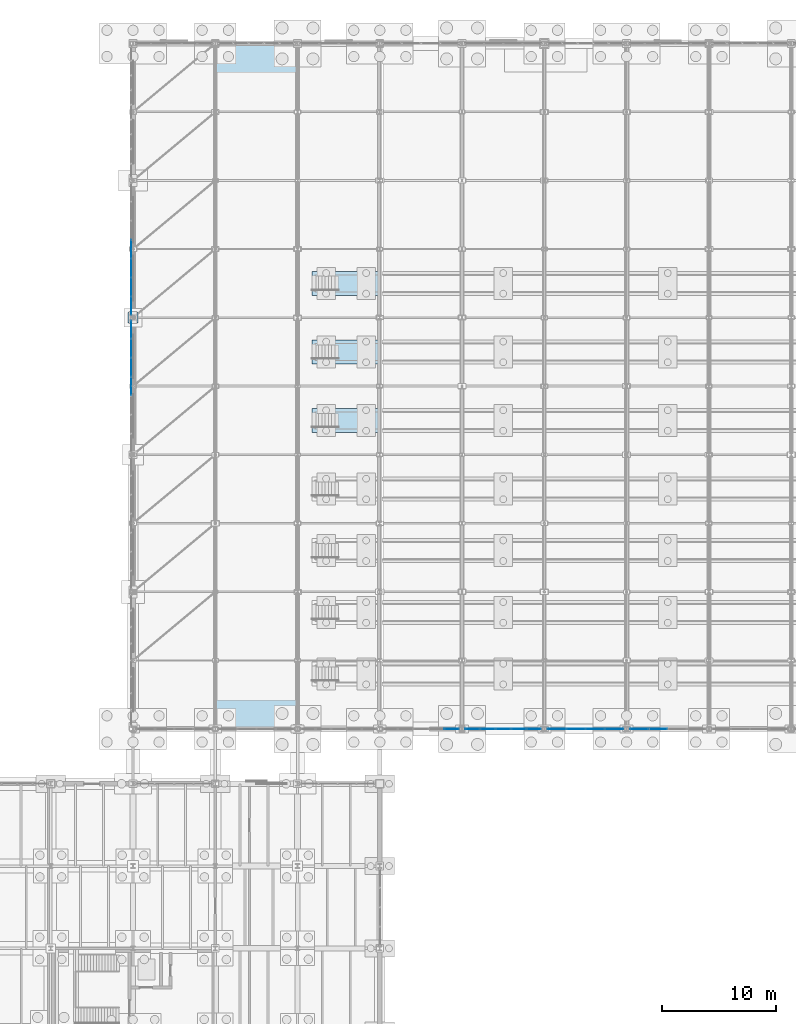
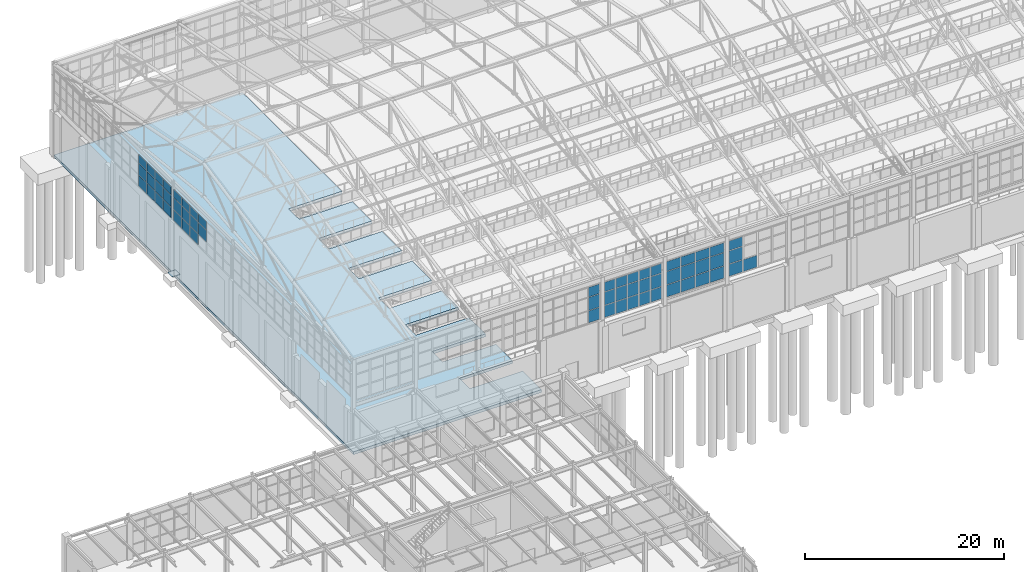
# One storey, part 240 of 293: 58 plates, 4 slabs, 6 elements without a shape of their own.
"""IFC4 building model written with IfcOpenShell, lengths in metres."""

from ifc_helpers import new_model, si_unit, direction, frame, origin, origin_2d, place, context, subcontext, project, spatial, polyline, rectangle, outline, extrude, material, layer, layer_set, type_object, element, aggregate, save


model = new_model("IFC4")

# Units and contexts
model_context = context("Model", 3, precision=1e-05, world=origin(), true_north=direction((0.0, 1.0)))
body_context = subcontext(model_context, "Body", "Model", "MODEL_VIEW")
ifc_project = project(units=[si_unit("LENGTHUNIT", "METRE"), si_unit("AREAUNIT", "SQUARE_METRE"), si_unit("VOLUMEUNIT", "CUBIC_METRE"), si_unit("PLANEANGLEUNIT", "RADIAN"), si_unit("MASSUNIT", "GRAM", prefix="KILO")], contexts=[model_context])

# Site, building, storey
site_placement = place(None, origin())
site = spatial("IfcSite", under=ifc_project, at=site_placement, CompositionType="ELEMENT")
building_placement = place(site_placement, origin())
building = spatial("IfcBuilding", under=site, at=building_placement, Name="Kemerveld Promenade Tramway Depot", CompositionType="ELEMENT")
storey_placement = place(building_placement, origin())
storey = spatial("IfcBuildingStorey", under=building, at=storey_placement, Name="L00", CompositionType="ELEMENT", Elevation=0.0)

# Curtain wall, plates
ifc_material_1 = material(Name="Bronze anodised aluminium and solar glass", Category="aluminium")
ifc_layer_1 = layer(ifc_material_1, 0.159912109375)
ifc_layer_set_1 = layer_set([ifc_layer_1], Name="CW-SYS-09")
curtain_wall_type_1 = type_object("IfcCurtainWallType", Name="CW-SYS-09", PredefinedType="USERDEFINED", material=ifc_layer_set_1)
curtain_wall_1_placement = place(storey_placement, origin())
curtain_wall_1 = element("IfcCurtainWall", 1, at=curtain_wall_1_placement, inside=storey, type_object=curtain_wall_type_1, Name="CW-V1-S-06", ObjectType="GLAZED_CURTAIN_WALL", PredefinedType="USERDEFINED")
ifc_material_2 = material(Name="Solar-control laminated double glazing", Category="glass")
ifc_layer_2 = layer(ifc_material_2, 0.028076171875)
ifc_layer_set_2 = layer_set([ifc_layer_2], Name="CW-PNL-01")
plate_type_1 = type_object("IfcPlateType", Name="CW-PNL-01", PredefinedType="CURTAIN_PANEL", material=ifc_layer_set_2)
plate_1_placement = place(storey_placement, frame((78.116455078125, 84.0, 6.259765625), z_axis=(0.0, 0.0, 1.0), x_axis=(-1.0, 0.0, 0.0)))
plate_1 = element("IfcPlate", 2, at=plate_1_placement, type_object=plate_type_1, Name="CW09 panel 1.1", PredefinedType="CURTAIN_PANEL", context=body_context, shape_type="SweptSolid", body=[
    extrude(rectangle(XDim=1.5908203125, YDim=0.028076171875, at=origin_2d()), origin(), (0.0, 0.0, 1.0), 1.468017578125),
])
plate_2_placement = place(storey_placement, frame((78.116455078125, 84.0, 7.7880859375), z_axis=(0.0, 0.0, 1.0), x_axis=(-1.0, 0.0, 0.0)))
plate_2 = element("IfcPlate", 3, at=plate_2_placement, type_object=plate_type_1, Name="CW09 panel 1.2", PredefinedType="CURTAIN_PANEL", context=body_context, shape_type="SweptSolid", body=[
    extrude(rectangle(XDim=1.5908203125, YDim=0.028076171875, at=origin_2d()), origin(), (0.0, 0.0, 1.0), 1.5859375),
])
plate_3_placement = place(storey_placement, frame((78.116455078125, 84.0, 9.43408203125), z_axis=(0.0, 0.0, 1.0), x_axis=(-1.0, 0.0, 0.0)))
plate_3 = element("IfcPlate", 4, at=plate_3_placement, type_object=plate_type_1, Name="CW09 panel 1.3", PredefinedType="CURTAIN_PANEL", context=body_context, shape_type="SweptSolid", body=[
    extrude(rectangle(XDim=1.5908203125, YDim=0.028076171875, at=origin_2d()), origin(), (0.0, 0.0, 1.0), 1.156005859375),
])
plate_4_placement = place(storey_placement, frame((76.444091796875, 84.0, 6.259765625), z_axis=(0.0, 0.0, 1.0), x_axis=(-1.0, 0.0, 0.0)))
plate_4 = element("IfcPlate", 5, at=plate_4_placement, type_object=plate_type_1, Name="CW09 panel 2.1", PredefinedType="CURTAIN_PANEL", context=body_context, shape_type="SweptSolid", body=[
    extrude(rectangle(XDim=1.623291015625, YDim=0.028076171875, at=origin_2d()), origin(), (0.0, 0.0, 1.0), 1.468017578125),
])
plate_5_placement = place(storey_placement, frame((76.444091796875, 84.0, 7.7880859375), z_axis=(0.0, 0.0, 1.0), x_axis=(-1.0, 0.0, 0.0)))
plate_5 = element("IfcPlate", 6, at=plate_5_placement, type_object=plate_type_1, Name="CW09 panel 2.2", PredefinedType="CURTAIN_PANEL", context=body_context, shape_type="SweptSolid", body=[
    extrude(rectangle(XDim=1.623291015625, YDim=0.028076171875, at=origin_2d()), origin(), (0.0, 0.0, 1.0), 1.5859375),
])
plate_6_placement = place(storey_placement, frame((76.444091796875, 84.0, 9.43408203125), z_axis=(0.0, 0.0, 1.0), x_axis=(-1.0, 0.0, 0.0)))
plate_6 = element("IfcPlate", 7, at=plate_6_placement, type_object=plate_type_1, Name="CW09 panel 2.3", PredefinedType="CURTAIN_PANEL", context=body_context, shape_type="SweptSolid", body=[
    extrude(rectangle(XDim=1.623291015625, YDim=0.028076171875, at=origin_2d()), origin(), (0.0, 0.0, 1.0), 1.156005859375),
])
plate_7_placement = place(storey_placement, frame((74.755859375, 84.0, 6.259765625), z_axis=(0.0, 0.0, 1.0), x_axis=(-1.0, 0.0, 0.0)))
plate_7 = element("IfcPlate", 8, at=plate_7_placement, type_object=plate_type_1, Name="CW09 panel 3.1", PredefinedType="CURTAIN_PANEL", context=body_context, shape_type="SweptSolid", body=[
    extrude(rectangle(XDim=1.623291015625, YDim=0.028076171875, at=origin_2d()), origin(), (0.0, 0.0, 1.0), 1.468017578125),
])
plate_8_placement = place(storey_placement, frame((74.755859375, 84.0, 7.7880859375), z_axis=(0.0, 0.0, 1.0), x_axis=(-1.0, 0.0, 0.0)))
plate_8 = element("IfcPlate", 9, at=plate_8_placement, type_object=plate_type_1, Name="CW09 panel 3.2", PredefinedType="CURTAIN_PANEL", context=body_context, shape_type="SweptSolid", body=[
    extrude(rectangle(XDim=1.623291015625, YDim=0.028076171875, at=origin_2d()), origin(), (0.0, 0.0, 1.0), 1.5859375),
])
plate_9_placement = place(storey_placement, frame((74.755859375, 84.0, 9.43408203125), z_axis=(0.0, 0.0, 1.0), x_axis=(-1.0, 0.0, 0.0)))
plate_9 = element("IfcPlate", 10, at=plate_9_placement, type_object=plate_type_1, Name="CW09 panel 3.3", PredefinedType="CURTAIN_PANEL", context=body_context, shape_type="SweptSolid", body=[
    extrude(rectangle(XDim=1.623291015625, YDim=0.028076171875, at=origin_2d()), origin(), (0.0, 0.0, 1.0), 1.156005859375),
])
plate_10_placement = place(storey_placement, frame((73.083740234375, 84.0, 6.259765625), z_axis=(0.0, 0.0, 1.0), x_axis=(-1.0, 0.0, 0.0)))
plate_10 = element("IfcPlate", 11, at=plate_10_placement, type_object=plate_type_1, Name="CW09 panel 4.1", PredefinedType="CURTAIN_PANEL", context=body_context, shape_type="SweptSolid", body=[
    extrude(rectangle(XDim=1.5908203125, YDim=0.028076171875, at=origin_2d()), origin(), (0.0, 0.0, 1.0), 1.468017578125),
])
plate_11_placement = place(storey_placement, frame((73.083740234375, 84.0, 7.7880859375), z_axis=(0.0, 0.0, 1.0), x_axis=(-1.0, 0.0, 0.0)))
plate_11 = element("IfcPlate", 12, at=plate_11_placement, type_object=plate_type_1, Name="CW09 panel 4.2", PredefinedType="CURTAIN_PANEL", context=body_context, shape_type="SweptSolid", body=[
    extrude(rectangle(XDim=1.5908203125, YDim=0.028076171875, at=origin_2d()), origin(), (0.0, 0.0, 1.0), 1.5859375),
])
plate_12_placement = place(storey_placement, frame((73.083740234375, 84.0, 9.43408203125), z_axis=(0.0, 0.0, 1.0), x_axis=(-1.0, 0.0, 0.0)))
plate_12 = element("IfcPlate", 13, at=plate_12_placement, type_object=plate_type_1, Name="CW09 panel 4.3", PredefinedType="CURTAIN_PANEL", context=body_context, shape_type="SweptSolid", body=[
    extrude(rectangle(XDim=1.5908203125, YDim=0.028076171875, at=origin_2d()), origin(), (0.0, 0.0, 1.0), 1.156005859375),
])
aggregate(curtain_wall_1, [plate_1, plate_2, plate_3, plate_4, plate_5, plate_6, plate_7, plate_8, plate_9, plate_10, plate_11, plate_12])

ifc_layer_3 = layer(ifc_material_1, 0.199951171875)
ifc_layer_set_3 = layer_set([ifc_layer_3], Name="CW-SYS-10")
curtain_wall_type_2 = type_object("IfcCurtainWallType", Name="CW-SYS-10", PredefinedType="USERDEFINED", material=ifc_layer_set_3)
curtain_wall_2_placement = place(storey_placement, origin())
curtain_wall_2 = element("IfcCurtainWall", 14, at=curtain_wall_2_placement, inside=storey, type_object=curtain_wall_type_2, Name="CW-V1-S-07", ObjectType="GLAZED_CURTAIN_WALL", PredefinedType="USERDEFINED")
ifc_layer_4 = layer(ifc_material_2, 0.028076171875)
ifc_layer_set_4 = layer_set([ifc_layer_4], Name="CW-PNL-02")
plate_type_2 = type_object("IfcPlateType", Name="CW-PNL-02", PredefinedType="CURTAIN_PANEL", material=ifc_layer_set_4)
plate_13_placement = place(storey_placement, frame((81.955810546875, 84.0, 6.26513671875), z_axis=(0.0, 0.0, 1.0), x_axis=(-1.0, 0.0, 0.0)))
plate_13 = element("IfcPlate", 15, at=plate_13_placement, type_object=plate_type_2, Name="CW10 panel 3.1", PredefinedType="CURTAIN_PANEL", context=body_context, shape_type="SweptSolid", body=[
    extrude(rectangle(XDim=1.61328125, YDim=0.028076171875, at=origin_2d()), origin(), (0.0, 0.0, 1.0), 1.46044921875),
])
plate_14_placement = place(storey_placement, frame((80.2861328125, 84.0, 6.26513671875), z_axis=(0.0, 0.0, 1.0), x_axis=(-1.0, 0.0, 0.0)))
plate_14 = element("IfcPlate", 16, at=plate_14_placement, type_object=plate_type_2, Name="CW10 panel 4.1", PredefinedType="CURTAIN_PANEL", context=body_context, shape_type="SweptSolid", body=[
    extrude(rectangle(XDim=1.575927734375, YDim=0.028076171875, at=origin_2d()), origin(), (0.0, 0.0, 1.0), 1.46044921875),
])
plate_15_placement = place(storey_placement, frame((80.2861328125, 84.0, 7.79052734375), z_axis=(0.0, 0.0, 1.0), x_axis=(-1.0, 0.0, 0.0)))
plate_15 = element("IfcPlate", 17, at=plate_15_placement, type_object=plate_type_2, Name="CW10 panel 4.2", PredefinedType="CURTAIN_PANEL", context=body_context, shape_type="SweptSolid", body=[
    extrude(rectangle(XDim=1.575927734375, YDim=0.028076171875, at=origin_2d()), origin(), (0.0, 0.0, 1.0), 1.5810546875),
])
plate_16_placement = place(storey_placement, frame((80.2861328125, 84.0, 9.4365234375), z_axis=(0.0, 0.0, 1.0), x_axis=(-1.0, 0.0, 0.0)))
plate_16 = element("IfcPlate", 18, at=plate_16_placement, type_object=plate_type_2, Name="CW10 panel 4.3", PredefinedType="CURTAIN_PANEL", context=body_context, shape_type="SweptSolid", body=[
    extrude(rectangle(XDim=1.575927734375, YDim=0.028076171875, at=origin_2d()), origin(), (0.0, 0.0, 1.0), 1.1484375),
])
aggregate(curtain_wall_2, [plate_13, plate_14, plate_15, plate_16])

curtain_wall_3_placement = place(storey_placement, origin())
curtain_wall_3 = element("IfcCurtainWall", 19, at=curtain_wall_3_placement, inside=storey, type_object=curtain_wall_type_2, Name="CW-V1-W-03", ObjectType="GLAZED_CURTAIN_WALL", PredefinedType="USERDEFINED")
plate_17_placement = place(storey_placement, frame((35.85009765625, 114.0, 8.0654296875), z_axis=(0.0, 0.0, 1.0), x_axis=(0.0, 1.0, 0.0)))
plate_17 = element("IfcPlate", 20, at=plate_17_placement, type_object=plate_type_2, Name="CW10 panel 4.2", PredefinedType="CURTAIN_PANEL", context=body_context, shape_type="SweptSolid", body=[
    extrude(rectangle(XDim=1.5869140625, YDim=0.028076171875, at=origin_2d()), origin(), (0.0, 0.0, 1.0), 1.39599609375),
])
plate_18_placement = place(storey_placement, frame((35.85009765625, 114.0, 9.5263671875), z_axis=(0.0, 0.0, 1.0), x_axis=(0.0, 1.0, 0.0)))
plate_18 = element("IfcPlate", 21, at=plate_18_placement, type_object=plate_type_2, Name="CW10 panel 4.3", PredefinedType="CURTAIN_PANEL", context=body_context, shape_type="SweptSolid", body=[
    extrude(rectangle(XDim=1.5869140625, YDim=0.028076171875, at=origin_2d()), origin(), (0.0, 0.0, 1.0), 1.008544921875),
])
plate_19_placement = place(storey_placement, frame((35.85009765625, 115.661865234375, 6.71484375), z_axis=(0.0, 0.0, 1.0), x_axis=(0.0, 1.0, 0.0)))
plate_19 = element("IfcPlate", 22, at=plate_19_placement, type_object=plate_type_2, Name="CW10 panel 5.1", PredefinedType="CURTAIN_PANEL", context=body_context, shape_type="SweptSolid", body=[
    extrude(rectangle(XDim=1.5869140625, YDim=0.028076171875, at=origin_2d()), origin(), (0.0, 0.0, 1.0), 1.285400390625),
])
plate_20_placement = place(storey_placement, frame((35.85009765625, 115.661865234375, 8.0654296875), z_axis=(0.0, 0.0, 1.0), x_axis=(0.0, 1.0, 0.0)))
plate_20 = element("IfcPlate", 23, at=plate_20_placement, type_object=plate_type_2, Name="CW10 panel 5.2", PredefinedType="CURTAIN_PANEL", context=body_context, shape_type="SweptSolid", body=[
    extrude(rectangle(XDim=1.5869140625, YDim=0.028076171875, at=origin_2d()), origin(), (0.0, 0.0, 1.0), 1.39599609375),
])
plate_21_placement = place(storey_placement, frame((35.85009765625, 115.661865234375, 9.5263671875), z_axis=(0.0, 0.0, 1.0), x_axis=(0.0, 1.0, 0.0)))
plate_21 = element("IfcPlate", 24, at=plate_21_placement, type_object=plate_type_2, Name="CW10 panel 5.3", PredefinedType="CURTAIN_PANEL", context=body_context, shape_type="SweptSolid", body=[
    extrude(rectangle(XDim=1.5869140625, YDim=0.028076171875, at=origin_2d()), origin(), (0.0, 0.0, 1.0), 1.008544921875),
])
plate_22_placement = place(storey_placement, frame((35.85009765625, 117.32373046875, 6.71484375), z_axis=(0.0, 0.0, 1.0), x_axis=(0.0, 1.0, 0.0)))
plate_22 = element("IfcPlate", 25, at=plate_22_placement, type_object=plate_type_2, Name="CW10 panel 6.1", PredefinedType="CURTAIN_PANEL", context=body_context, shape_type="SweptSolid", body=[
    extrude(rectangle(XDim=1.5869140625, YDim=0.028076171875, at=origin_2d()), origin(), (0.0, 0.0, 1.0), 1.285400390625),
])
plate_23_placement = place(storey_placement, frame((35.85009765625, 117.32373046875, 8.0654296875), z_axis=(0.0, 0.0, 1.0), x_axis=(0.0, 1.0, 0.0)))
plate_23 = element("IfcPlate", 26, at=plate_23_placement, type_object=plate_type_2, Name="CW10 panel 6.2", PredefinedType="CURTAIN_PANEL", context=body_context, shape_type="SweptSolid", body=[
    extrude(rectangle(XDim=1.5869140625, YDim=0.028076171875, at=origin_2d()), origin(), (0.0, 0.0, 1.0), 1.39599609375),
])
plate_24_placement = place(storey_placement, frame((35.85009765625, 117.32373046875, 9.5263671875), z_axis=(0.0, 0.0, 1.0), x_axis=(0.0, 1.0, 0.0)))
plate_24 = element("IfcPlate", 27, at=plate_24_placement, type_object=plate_type_2, Name="CW10 panel 6.3", PredefinedType="CURTAIN_PANEL", context=body_context, shape_type="SweptSolid", body=[
    extrude(rectangle(XDim=1.5869140625, YDim=0.028076171875, at=origin_2d()), origin(), (0.0, 0.0, 1.0), 1.008544921875),
])
plate_25_placement = place(storey_placement, frame((35.85009765625, 118.966796875, 6.71484375), z_axis=(0.0, 0.0, 1.0), x_axis=(0.0, 1.0, 0.0)))
plate_25 = element("IfcPlate", 28, at=plate_25_placement, type_object=plate_type_2, Name="CW10 panel 7.1", PredefinedType="CURTAIN_PANEL", context=body_context, shape_type="SweptSolid", body=[
    extrude(rectangle(XDim=1.54931640625, YDim=0.028076171875, at=origin_2d()), origin(), (0.0, 0.0, 1.0), 1.285400390625),
])
plate_26_placement = place(storey_placement, frame((35.85009765625, 118.966796875, 8.0654296875), z_axis=(0.0, 0.0, 1.0), x_axis=(0.0, 1.0, 0.0)))
plate_26 = element("IfcPlate", 29, at=plate_26_placement, type_object=plate_type_2, Name="CW10 panel 7.2", PredefinedType="CURTAIN_PANEL", context=body_context, shape_type="SweptSolid", body=[
    extrude(rectangle(XDim=1.54931640625, YDim=0.028076171875, at=origin_2d()), origin(), (0.0, 0.0, 1.0), 1.39599609375),
])
plate_27_placement = place(storey_placement, frame((35.85009765625, 118.966796875, 9.5263671875), z_axis=(0.0, 0.0, 1.0), x_axis=(0.0, 1.0, 0.0)))
plate_27 = element("IfcPlate", 30, at=plate_27_placement, type_object=plate_type_2, Name="CW10 panel 7.3", PredefinedType="CURTAIN_PANEL", context=body_context, shape_type="SweptSolid", body=[
    extrude(rectangle(XDim=1.54931640625, YDim=0.028076171875, at=origin_2d()), origin(), (0.0, 0.0, 1.0), 1.008544921875),
])
aggregate(curtain_wall_3, [plate_17, plate_18, plate_19, plate_20, plate_21, plate_22, plate_23, plate_24, plate_25, plate_26, plate_27])

ifc_layer_5 = layer(ifc_material_1, 0.159912109375)
ifc_layer_set_5 = layer_set([ifc_layer_5], Name="CW-SYS-11")
curtain_wall_type_3 = type_object("IfcCurtainWallType", Name="CW-SYS-11", PredefinedType="USERDEFINED", material=ifc_layer_set_5)
curtain_wall_4_placement = place(storey_placement, origin())
curtain_wall_4 = element("IfcCurtainWall", 31, at=curtain_wall_4_placement, inside=storey, type_object=curtain_wall_type_3, Name="CW-V1-W-04", ObjectType="GLAZED_CURTAIN_WALL", PredefinedType="USERDEFINED")
ifc_layer_6 = layer(ifc_material_2, 0.028076171875)
ifc_layer_set_6 = layer_set([ifc_layer_6], Name="CW-PNL-03")
plate_type_3 = type_object("IfcPlateType", Name="CW-PNL-03", PredefinedType="CURTAIN_PANEL", material=ifc_layer_set_6)
plate_28_placement = place(storey_placement, frame((35.85009765625, 121.03076171875, 6.7099609375), z_axis=(0.0, 0.0, 1.0), x_axis=(0.0, 1.0, 0.0)))
plate_28 = element("IfcPlate", 32, at=plate_28_placement, type_object=plate_type_3, Name="CW11 panel 1.1", PredefinedType="CURTAIN_PANEL", context=body_context, shape_type="SweptSolid", body=[
    extrude(rectangle(XDim=1.564453125, YDim=0.028076171875, at=origin_2d()), origin(), (0.0, 0.0, 1.0), 1.29296875),
])
plate_29_placement = place(storey_placement, frame((35.85009765625, 121.03076171875, 8.06298828125), z_axis=(0.0, 0.0, 1.0), x_axis=(0.0, 1.0, 0.0)))
plate_29 = element("IfcPlate", 33, at=plate_29_placement, type_object=plate_type_3, Name="CW11 panel 1.2", PredefinedType="CURTAIN_PANEL", context=body_context, shape_type="SweptSolid", body=[
    extrude(rectangle(XDim=1.564453125, YDim=0.028076171875, at=origin_2d()), origin(), (0.0, 0.0, 1.0), 1.40087890625),
])
plate_30_placement = place(storey_placement, frame((35.85009765625, 121.03076171875, 9.52392578125), z_axis=(0.0, 0.0, 1.0), x_axis=(0.0, 1.0, 0.0)))
plate_30 = element("IfcPlate", 34, at=plate_30_placement, type_object=plate_type_3, Name="CW11 panel 1.3", PredefinedType="CURTAIN_PANEL", context=body_context, shape_type="SweptSolid", body=[
    extrude(rectangle(XDim=1.564453125, YDim=0.028076171875, at=origin_2d()), origin(), (0.0, 0.0, 1.0), 1.01611328125),
])
plate_31_placement = place(storey_placement, frame((35.85009765625, 122.67626953125, 6.7099609375), z_axis=(0.0, 0.0, 1.0), x_axis=(0.0, 1.0, 0.0)))
plate_31 = element("IfcPlate", 35, at=plate_31_placement, type_object=plate_type_3, Name="CW11 panel 2.1", PredefinedType="CURTAIN_PANEL", context=body_context, shape_type="SweptSolid", body=[
    extrude(rectangle(XDim=1.596923828125, YDim=0.028076171875, at=origin_2d()), origin(), (0.0, 0.0, 1.0), 1.29296875),
])
plate_32_placement = place(storey_placement, frame((35.85009765625, 122.67626953125, 8.06298828125), z_axis=(0.0, 0.0, 1.0), x_axis=(0.0, 1.0, 0.0)))
plate_32 = element("IfcPlate", 36, at=plate_32_placement, type_object=plate_type_3, Name="CW11 panel 2.2", PredefinedType="CURTAIN_PANEL", context=body_context, shape_type="SweptSolid", body=[
    extrude(rectangle(XDim=1.596923828125, YDim=0.028076171875, at=origin_2d()), origin(), (0.0, 0.0, 1.0), 1.40087890625),
])
plate_33_placement = place(storey_placement, frame((35.85009765625, 122.67626953125, 9.52392578125), z_axis=(0.0, 0.0, 1.0), x_axis=(0.0, 1.0, 0.0)))
plate_33 = element("IfcPlate", 37, at=plate_33_placement, type_object=plate_type_3, Name="CW11 panel 2.3", PredefinedType="CURTAIN_PANEL", context=body_context, shape_type="SweptSolid", body=[
    extrude(rectangle(XDim=1.596923828125, YDim=0.028076171875, at=origin_2d()), origin(), (0.0, 0.0, 1.0), 1.01611328125),
])
plate_34_placement = place(storey_placement, frame((35.85009765625, 124.338134765625, 6.7099609375), z_axis=(0.0, 0.0, 1.0), x_axis=(0.0, 1.0, 0.0)))
plate_34 = element("IfcPlate", 38, at=plate_34_placement, type_object=plate_type_3, Name="CW11 panel 3.1", PredefinedType="CURTAIN_PANEL", context=body_context, shape_type="SweptSolid", body=[
    extrude(rectangle(XDim=1.596923828125, YDim=0.028076171875, at=origin_2d()), origin(), (0.0, 0.0, 1.0), 1.29296875),
])
plate_35_placement = place(storey_placement, frame((35.85009765625, 124.338134765625, 8.06298828125), z_axis=(0.0, 0.0, 1.0), x_axis=(0.0, 1.0, 0.0)))
plate_35 = element("IfcPlate", 39, at=plate_35_placement, type_object=plate_type_3, Name="CW11 panel 3.2", PredefinedType="CURTAIN_PANEL", context=body_context, shape_type="SweptSolid", body=[
    extrude(rectangle(XDim=1.596923828125, YDim=0.028076171875, at=origin_2d()), origin(), (0.0, 0.0, 1.0), 1.40087890625),
])
plate_36_placement = place(storey_placement, frame((35.85009765625, 124.338134765625, 9.52392578125), z_axis=(0.0, 0.0, 1.0), x_axis=(0.0, 1.0, 0.0)))
plate_36 = element("IfcPlate", 40, at=plate_36_placement, type_object=plate_type_3, Name="CW11 panel 3.3", PredefinedType="CURTAIN_PANEL", context=body_context, shape_type="SweptSolid", body=[
    extrude(rectangle(XDim=1.596923828125, YDim=0.028076171875, at=origin_2d()), origin(), (0.0, 0.0, 1.0), 1.01611328125),
])
plate_37_placement = place(storey_placement, frame((35.85009765625, 126.0, 6.7099609375), z_axis=(0.0, 0.0, 1.0), x_axis=(0.0, 1.0, 0.0)))
plate_37 = element("IfcPlate", 41, at=plate_37_placement, type_object=plate_type_3, Name="CW11 panel 4.1", PredefinedType="CURTAIN_PANEL", context=body_context, shape_type="SweptSolid", body=[
    extrude(rectangle(XDim=1.596923828125, YDim=0.028076171875, at=origin_2d()), origin(), (0.0, 0.0, 1.0), 1.29296875),
])
plate_38_placement = place(storey_placement, frame((35.85009765625, 126.0, 8.06298828125), z_axis=(0.0, 0.0, 1.0), x_axis=(0.0, 1.0, 0.0)))
plate_38 = element("IfcPlate", 42, at=plate_38_placement, type_object=plate_type_3, Name="CW11 panel 4.2", PredefinedType="CURTAIN_PANEL", context=body_context, shape_type="SweptSolid", body=[
    extrude(rectangle(XDim=1.596923828125, YDim=0.028076171875, at=origin_2d()), origin(), (0.0, 0.0, 1.0), 1.40087890625),
])
plate_39_placement = place(storey_placement, frame((35.85009765625, 126.0, 9.52392578125), z_axis=(0.0, 0.0, 1.0), x_axis=(0.0, 1.0, 0.0)))
plate_39 = element("IfcPlate", 43, at=plate_39_placement, type_object=plate_type_3, Name="CW11 panel 4.3", PredefinedType="CURTAIN_PANEL", context=body_context, shape_type="SweptSolid", body=[
    extrude(rectangle(XDim=1.596923828125, YDim=0.028076171875, at=origin_2d()), origin(), (0.0, 0.0, 1.0), 1.01611328125),
])
aggregate(curtain_wall_4, [plate_28, plate_29, plate_30, plate_31, plate_32, plate_33, plate_34, plate_35, plate_36, plate_37, plate_38, plate_39])

ifc_layer_7 = layer(ifc_material_1, 0.159912109375)
ifc_layer_set_7 = layer_set([ifc_layer_7], Name="CW-SYS-07")
curtain_wall_type_4 = type_object("IfcCurtainWallType", Name="CW-SYS-07", PredefinedType="USERDEFINED", material=ifc_layer_set_7)
curtain_wall_5_placement = place(storey_placement, origin())
curtain_wall_5 = element("IfcCurtainWall", 44, at=curtain_wall_5_placement, inside=storey, type_object=curtain_wall_type_4, Name="CW-V1-S-04", ObjectType="GLAZED_CURTAIN_WALL", PredefinedType="USERDEFINED")
ifc_layer_8 = layer(ifc_material_2, 0.030029296875)
ifc_layer_set_8 = layer_set([ifc_layer_8], Name="CW-PNL-07")
plate_type_4 = type_object("IfcPlateType", Name="CW-PNL-07", PredefinedType="CURTAIN_PANEL", material=ifc_layer_set_8)
plate_40_placement = place(storey_placement, frame((63.88525390625, 84.0, 6.259765625), z_axis=(0.0, 0.0, 1.0), x_axis=(-1.0, 0.0, 0.0)))
plate_40 = element("IfcPlate", 45, at=plate_40_placement, type_object=plate_type_4, Name="CW07 panel 1.1", PredefinedType="CURTAIN_PANEL", context=body_context, shape_type="SweptSolid", body=[
    extrude(rectangle(XDim=1.253173828125, YDim=0.030029296875, at=origin_2d()), origin(), (0.0, 0.0, 1.0), 1.468017578125),
])
plate_41_placement = place(storey_placement, frame((63.88525390625, 84.0, 7.7880859375), z_axis=(0.0, 0.0, 1.0), x_axis=(-1.0, 0.0, 0.0)))
plate_41 = element("IfcPlate", 46, at=plate_41_placement, type_object=plate_type_4, Name="CW07 panel 1.2", PredefinedType="CURTAIN_PANEL", context=body_context, shape_type="SweptSolid", body=[
    extrude(rectangle(XDim=1.253173828125, YDim=0.030029296875, at=origin_2d()), origin(), (0.0, 0.0, 1.0), 1.5859375),
])
plate_42_placement = place(storey_placement, frame((63.88525390625, 84.0, 9.43408203125), z_axis=(0.0, 0.0, 1.0), x_axis=(-1.0, 0.0, 0.0)))
plate_42 = element("IfcPlate", 47, at=plate_42_placement, type_object=plate_type_4, Name="CW07 panel 1.3", PredefinedType="CURTAIN_PANEL", context=body_context, shape_type="SweptSolid", body=[
    extrude(rectangle(XDim=1.253173828125, YDim=0.030029296875, at=origin_2d()), origin(), (0.0, 0.0, 1.0), 1.156005859375),
])
aggregate(curtain_wall_5, [plate_40, plate_41, plate_42])

ifc_layer_9 = layer(ifc_material_1, 0.199951171875)
ifc_layer_set_9 = layer_set([ifc_layer_9], Name="CW-SYS-08")
curtain_wall_type_5 = type_object("IfcCurtainWallType", Name="CW-SYS-08", PredefinedType="USERDEFINED", material=ifc_layer_set_9)
curtain_wall_6_placement = place(storey_placement, origin())
curtain_wall_6 = element("IfcCurtainWall", 48, at=curtain_wall_6_placement, inside=storey, type_object=curtain_wall_type_5, Name="CW-V1-S-05", ObjectType="GLAZED_CURTAIN_WALL", PredefinedType="USERDEFINED")
ifc_layer_10 = layer(ifc_material_2, 0.028076171875)
ifc_layer_set_10 = layer_set([ifc_layer_10], Name="CW-PNL-08")
plate_type_5 = type_object("IfcPlateType", Name="CW-PNL-08", PredefinedType="CURTAIN_PANEL", material=ifc_layer_set_10)
plate_43_placement = place(storey_placement, frame((71.082763671875, 84.0, 6.26513671875), z_axis=(0.0, 0.0, 1.0), x_axis=(-1.0, 0.0, 0.0)))
plate_43 = element("IfcPlate", 49, at=plate_43_placement, type_object=plate_type_5, Name="CW08 panel 1.1", PredefinedType="CURTAIN_PANEL", context=body_context, shape_type="SweptSolid", body=[
    extrude(rectangle(XDim=1.23828125, YDim=0.028076171875, at=origin_2d()), origin(), (0.0, 0.0, 1.0), 1.46044921875),
])
plate_44_placement = place(storey_placement, frame((71.082763671875, 84.0, 7.79052734375), z_axis=(0.0, 0.0, 1.0), x_axis=(-1.0, 0.0, 0.0)))
plate_44 = element("IfcPlate", 50, at=plate_44_placement, type_object=plate_type_5, Name="CW08 panel 1.2", PredefinedType="CURTAIN_PANEL", context=body_context, shape_type="SweptSolid", body=[
    extrude(rectangle(XDim=1.23828125, YDim=0.028076171875, at=origin_2d()), origin(), (0.0, 0.0, 1.0), 1.5810546875),
])
plate_45_placement = place(storey_placement, frame((71.082763671875, 84.0, 9.4365234375), z_axis=(0.0, 0.0, 1.0), x_axis=(-1.0, 0.0, 0.0)))
plate_45 = element("IfcPlate", 51, at=plate_45_placement, type_object=plate_type_5, Name="CW08 panel 1.3", PredefinedType="CURTAIN_PANEL", context=body_context, shape_type="SweptSolid", body=[
    extrude(rectangle(XDim=1.23828125, YDim=0.028076171875, at=origin_2d()), origin(), (0.0, 0.0, 1.0), 1.1484375),
])
plate_46_placement = place(storey_placement, frame((69.750732421875, 84.0, 6.26513671875), z_axis=(0.0, 0.0, 1.0), x_axis=(-1.0, 0.0, 0.0)))
plate_46 = element("IfcPlate", 52, at=plate_46_placement, type_object=plate_type_5, Name="CW08 panel 2.1", PredefinedType="CURTAIN_PANEL", context=body_context, shape_type="SweptSolid", body=[
    extrude(rectangle(XDim=1.275634765625, YDim=0.028076171875, at=origin_2d()), origin(), (0.0, 0.0, 1.0), 1.46044921875),
])
plate_47_placement = place(storey_placement, frame((69.750732421875, 84.0, 7.79052734375), z_axis=(0.0, 0.0, 1.0), x_axis=(-1.0, 0.0, 0.0)))
plate_47 = element("IfcPlate", 53, at=plate_47_placement, type_object=plate_type_5, Name="CW08 panel 2.2", PredefinedType="CURTAIN_PANEL", context=body_context, shape_type="SweptSolid", body=[
    extrude(rectangle(XDim=1.275634765625, YDim=0.028076171875, at=origin_2d()), origin(), (0.0, 0.0, 1.0), 1.5810546875),
])
plate_48_placement = place(storey_placement, frame((69.750732421875, 84.0, 9.4365234375), z_axis=(0.0, 0.0, 1.0), x_axis=(-1.0, 0.0, 0.0)))
plate_48 = element("IfcPlate", 54, at=plate_48_placement, type_object=plate_type_5, Name="CW08 panel 2.3", PredefinedType="CURTAIN_PANEL", context=body_context, shape_type="SweptSolid", body=[
    extrude(rectangle(XDim=1.275634765625, YDim=0.028076171875, at=origin_2d()), origin(), (0.0, 0.0, 1.0), 1.1484375),
])
plate_49_placement = place(storey_placement, frame((68.39990234375, 84.0, 6.26513671875), z_axis=(0.0, 0.0, 1.0), x_axis=(-1.0, 0.0, 0.0)))
plate_49 = element("IfcPlate", 55, at=plate_49_placement, type_object=plate_type_5, Name="CW08 panel 3.1", PredefinedType="CURTAIN_PANEL", context=body_context, shape_type="SweptSolid", body=[
    extrude(rectangle(XDim=1.275634765625, YDim=0.028076171875, at=origin_2d()), origin(), (0.0, 0.0, 1.0), 1.46044921875),
])
plate_50_placement = place(storey_placement, frame((68.39990234375, 84.0, 7.79052734375), z_axis=(0.0, 0.0, 1.0), x_axis=(-1.0, 0.0, 0.0)))
plate_50 = element("IfcPlate", 56, at=plate_50_placement, type_object=plate_type_5, Name="CW08 panel 3.2", PredefinedType="CURTAIN_PANEL", context=body_context, shape_type="SweptSolid", body=[
    extrude(rectangle(XDim=1.275634765625, YDim=0.028076171875, at=origin_2d()), origin(), (0.0, 0.0, 1.0), 1.5810546875),
])
plate_51_placement = place(storey_placement, frame((68.39990234375, 84.0, 9.4365234375), z_axis=(0.0, 0.0, 1.0), x_axis=(-1.0, 0.0, 0.0)))
plate_51 = element("IfcPlate", 57, at=plate_51_placement, type_object=plate_type_5, Name="CW08 panel 3.3", PredefinedType="CURTAIN_PANEL", context=body_context, shape_type="SweptSolid", body=[
    extrude(rectangle(XDim=1.275634765625, YDim=0.028076171875, at=origin_2d()), origin(), (0.0, 0.0, 1.0), 1.1484375),
])
plate_52_placement = place(storey_placement, frame((67.04931640625, 84.0, 6.26513671875), z_axis=(0.0, 0.0, 1.0), x_axis=(-1.0, 0.0, 0.0)))
plate_52 = element("IfcPlate", 58, at=plate_52_placement, type_object=plate_type_5, Name="CW08 panel 4.1", PredefinedType="CURTAIN_PANEL", context=body_context, shape_type="SweptSolid", body=[
    extrude(rectangle(XDim=1.275634765625, YDim=0.028076171875, at=origin_2d()), origin(), (0.0, 0.0, 1.0), 1.46044921875),
])
plate_53_placement = place(storey_placement, frame((67.04931640625, 84.0, 7.79052734375), z_axis=(0.0, 0.0, 1.0), x_axis=(-1.0, 0.0, 0.0)))
plate_53 = element("IfcPlate", 59, at=plate_53_placement, type_object=plate_type_5, Name="CW08 panel 4.2", PredefinedType="CURTAIN_PANEL", context=body_context, shape_type="SweptSolid", body=[
    extrude(rectangle(XDim=1.275634765625, YDim=0.028076171875, at=origin_2d()), origin(), (0.0, 0.0, 1.0), 1.5810546875),
])
plate_54_placement = place(storey_placement, frame((67.04931640625, 84.0, 9.4365234375), z_axis=(0.0, 0.0, 1.0), x_axis=(-1.0, 0.0, 0.0)))
plate_54 = element("IfcPlate", 60, at=plate_54_placement, type_object=plate_type_5, Name="CW08 panel 4.3", PredefinedType="CURTAIN_PANEL", context=body_context, shape_type="SweptSolid", body=[
    extrude(rectangle(XDim=1.275634765625, YDim=0.028076171875, at=origin_2d()), origin(), (0.0, 0.0, 1.0), 1.1484375),
])
plate_55_placement = place(storey_placement, frame((65.71728515625, 84.0, 6.26513671875), z_axis=(0.0, 0.0, 1.0), x_axis=(-1.0, 0.0, 0.0)))
plate_55 = element("IfcPlate", 61, at=plate_55_placement, type_object=plate_type_5, Name="CW08 panel 5.1", PredefinedType="CURTAIN_PANEL", context=body_context, shape_type="SweptSolid", body=[
    extrude(rectangle(XDim=1.23828125, YDim=0.028076171875, at=origin_2d()), origin(), (0.0, 0.0, 1.0), 1.46044921875),
])
plate_56_placement = place(storey_placement, frame((65.71728515625, 84.0, 7.79052734375), z_axis=(0.0, 0.0, 1.0), x_axis=(-1.0, 0.0, 0.0)))
plate_56 = element("IfcPlate", 62, at=plate_56_placement, type_object=plate_type_5, Name="CW08 panel 5.2", PredefinedType="CURTAIN_PANEL", context=body_context, shape_type="SweptSolid", body=[
    extrude(rectangle(XDim=1.23828125, YDim=0.028076171875, at=origin_2d()), origin(), (0.0, 0.0, 1.0), 1.5810546875),
])
plate_57_placement = place(storey_placement, frame((65.71728515625, 84.0, 9.4365234375), z_axis=(0.0, 0.0, 1.0), x_axis=(-1.0, 0.0, 0.0)))
plate_57 = element("IfcPlate", 63, at=plate_57_placement, type_object=plate_type_5, Name="CW08 panel 5.3", PredefinedType="CURTAIN_PANEL", context=body_context, shape_type="SweptSolid", body=[
    extrude(rectangle(XDim=1.23828125, YDim=0.028076171875, at=origin_2d()), origin(), (0.0, 0.0, 1.0), 1.1484375),
])
aggregate(curtain_wall_6, [plate_43, plate_44, plate_45, plate_46, plate_47, plate_48, plate_49, plate_50, plate_51, plate_52, plate_53, plate_54, plate_55, plate_56, plate_57])

# Plate
ifc_material_3 = material(Name="Steel S355", Category="steel")
ifc_layer_11 = layer(ifc_material_3, 0.044921875)
ifc_layer_set_11 = layer_set([ifc_layer_11], Name="PL-BP01")
plate_type_6 = type_object("IfcPlateType", Name="PL-BP01", PredefinedType="USERDEFINED", material=ifc_layer_set_11)
plate_58_placement = place(storey_placement, frame((36.0, 120.0, 0.0), z_axis=(0.0, 0.0, 1.0), x_axis=(1.0, 0.0, 0.0)))
element("IfcPlate", 64, at=plate_58_placement, inside=storey, type_object=plate_type_6, Name="BP-06-R", ObjectType="BASE_PLATE", PredefinedType="USERDEFINED", context=body_context, shape_type="SweptSolid", body=[
    extrude(rectangle(XDim=0.89990234375, YDim=0.89990234375, at=origin_2d()), origin(), (0.0, 0.0, 1.0), 0.044921875),
])

# Slabs
ifc_material_4 = material(Name="Concrete C35/45", Category="concrete")
ifc_layer_12 = layer(ifc_material_4, 0.35009765625)
ifc_layer_set_12 = layer_set([ifc_layer_12], Name="SL-BS01")
slab_type_1 = type_object("IfcSlabType", Name="SL-BS01", PredefinedType="BASESLAB", material=ifc_layer_set_12)
slab_1_placement = place(storey_placement, frame((0.0, 0.0, -0.35009765625)))
element("IfcSlab", 65, at=slab_1_placement, inside=storey, type_object=slab_type_1, Name="SLB-L00-V1W", PredefinedType="BASESLAB", context=body_context, shape_type="SweptSolid", body=[
    extrude(outline(polyline([(36.0, 144.0), (57.800048828125, 144.0), (57.800048828125, 124.050048828125), (51.64990234375, 124.050048828125), (51.64990234375, 121.949951171875), (57.800048828125, 121.949951171875), (57.800048828125, 118.050048828125), (51.64990234375, 118.050048828125), (51.64990234375, 115.949951171875), (57.800048828125, 115.949951171875), (57.800048828125, 112.050048828125), (51.64990234375, 112.050048828125), (51.64990234375, 109.949951171875), (57.800048828125, 109.949951171875), (57.800048828125, 106.050048828125), (51.64990234375, 106.050048828125), (51.64990234375, 103.949951171875), (57.800048828125, 103.949951171875), (57.800048828125, 100.64990234375), (51.64990234375, 100.64990234375), (51.64990234375, 98.550048828125), (57.800048828125, 98.550048828125), (57.800048828125, 95.25), (51.64990234375, 95.25), (51.64990234375, 93.14990234375), (57.800048828125, 93.14990234375), (57.800048828125, 89.85009765625), (51.64990234375, 89.85009765625), (51.64990234375, 87.75), (57.800048828125, 87.75), (57.800048828125, 84.0), (36.0, 84.0), (36.0, 144.0)])), origin(), (0.0, 0.0, 1.0), 0.35009765625),
])
ifc_material_5 = material(Name="Concrete C40/50", Category="concrete")
ifc_layer_13 = layer(ifc_material_5, 0.39990234375)
ifc_layer_set_13 = layer_set([ifc_layer_13], Name="SL-BS03")
slab_type_2 = type_object("IfcSlabType", Name="SL-BS03", PredefinedType="BASESLAB", material=ifc_layer_set_13)
slab_2_placement = place(storey_placement, frame((0.0, 0.0, -1.949951171875)))
element("IfcSlab", 66, at=slab_2_placement, inside=storey, type_object=slab_type_2, Name="SLB-PIT-05-W", PredefinedType="BASESLAB", context=body_context, shape_type="SweptSolid", body=[
    extrude(outline(polyline([(51.64990234375, 109.949951171875), (57.800048828125, 109.949951171875), (57.800048828125, 112.050048828125), (51.64990234375, 112.050048828125), (51.64990234375, 109.949951171875)])), origin(), (0.0, 0.0, 1.0), 0.39990234375),
])
slab_3_placement = place(storey_placement, frame((0.0, 0.0, -1.949951171875)))
element("IfcSlab", 67, at=slab_3_placement, inside=storey, type_object=slab_type_2, Name="SLB-PIT-06-W", PredefinedType="BASESLAB", context=body_context, shape_type="SweptSolid", body=[
    extrude(outline(polyline([(51.64990234375, 115.949951171875), (57.800048828125, 115.949951171875), (57.800048828125, 118.050048828125), (51.64990234375, 118.050048828125), (51.64990234375, 115.949951171875)])), origin(), (0.0, 0.0, 1.0), 0.39990234375),
])
slab_4_placement = place(storey_placement, frame((0.0, 0.0, -1.949951171875)))
element("IfcSlab", 68, at=slab_4_placement, inside=storey, type_object=slab_type_2, Name="SLB-PIT-07-W", PredefinedType="BASESLAB", context=body_context, shape_type="SweptSolid", body=[
    extrude(outline(polyline([(51.64990234375, 121.949951171875), (57.800048828125, 121.949951171875), (57.800048828125, 124.050048828125), (51.64990234375, 124.050048828125), (51.64990234375, 121.949951171875)])), origin(), (0.0, 0.0, 1.0), 0.39990234375),
])

save(model, "model.ifc")
